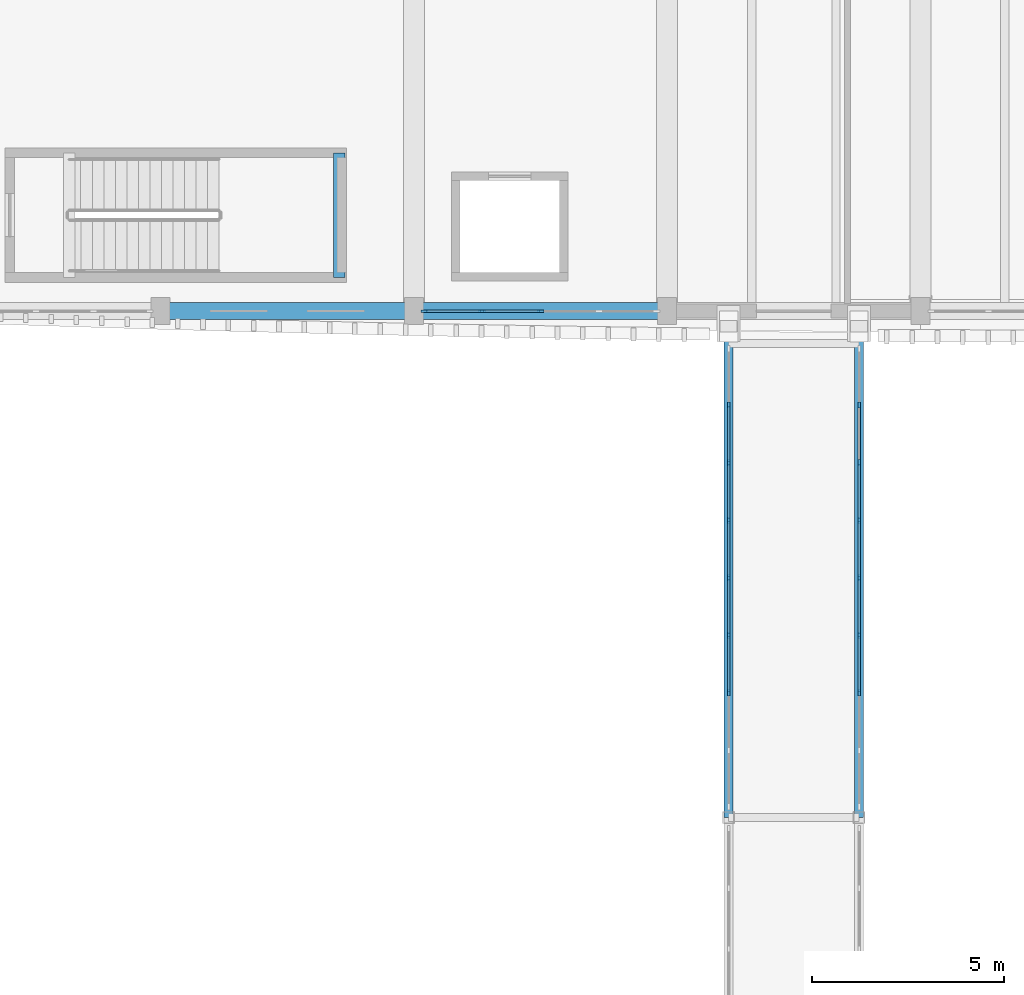
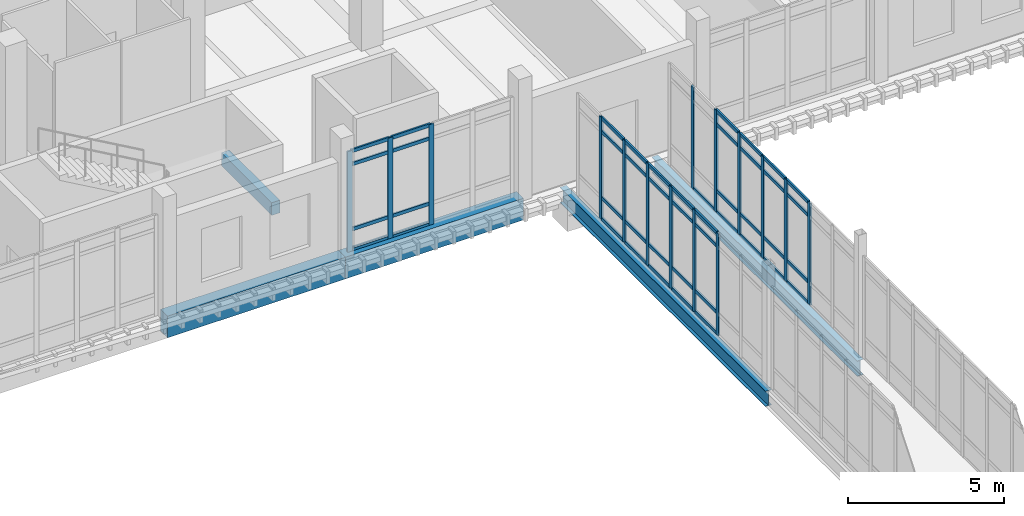
# One storey, part 57 of 125: 60 members, 5 beams, 3 elements without a shape of their own.
"""IFC4 building model written with IfcOpenShell, lengths in metres."""

import ifcopenshell
import ifcopenshell.guid

model = None  # the IFC model being written
_history = None  # IfcOwnerHistory: only IFC2X3 demands one
_inside = {}  # id of a spatial element -> (the spatial element, [elements in it])
_under = {}  # id of a project, library or spatial element -> (it, [spatial elements below it])
_declared = {}  # id of a project -> (the project, [libraries it declares])
_typed = {}  # id of a type object -> (the type object, [elements of that type])
_made_of = {}  # id of a material, layer set ... -> (it, [elements and type objects made of it])


def new_model(schema):
    """Start an empty IFC model of exactly this schema.

    Asked for "IFC4X3", IfcOpenShell would pick the latest addendum, in which some entities
    have other attributes; the version numbers below select the first issue.
    IFC2X3 requires an IfcOwnerHistory on every rooted entity: one is made here for all.
    """
    global model, _history
    if schema == "IFC4X3":
        model = ifcopenshell.file(schema_version=(4, 3, 0, 0))
    else:
        model = ifcopenshell.file(schema=schema)
    _inside.clear()
    _under.clear()
    _declared.clear()
    _typed.clear()
    _made_of.clear()
    _history = None
    if model.schema == "IFC2X3":
        org = make("IfcOrganization", Name="unknown")
        user = make(
            "IfcPersonAndOrganization",
            ThePerson=make("IfcPerson", FamilyName="unknown"),
            TheOrganization=org,
        )
        app = make(
            "IfcApplication",
            ApplicationDeveloper=org,
            Version="unknown",
            ApplicationFullName="unknown",
            ApplicationIdentifier="unknown",
        )
        _history = make(
            "IfcOwnerHistory",
            OwningUser=user,
            OwningApplication=app,
            ChangeAction="ADDED",
            CreationDate=0,
        )
    return model


def make(cls, **values):
    """One entity of the class cls with the attributes given. An attribute that is None is left unset."""
    return model.create_entity(
        cls, **{name: value for name, value in values.items() if value is not None}
    )


def rooted(cls, **values):
    """An entity with a GlobalId (a new one), such as an element, a storey or a relation."""
    return make(cls, GlobalId=ifcopenshell.guid.new(), OwnerHistory=_history, **values)


def si_unit(unit_type, name, prefix=None):
    """IfcSIUnit, for example si_unit("LENGTHUNIT", "METRE", prefix="MILLI")."""
    return make("IfcSIUnit", UnitType=unit_type, Prefix=prefix, Name=name)


def assignment(units):
    """IfcUnitAssignment: the units of a project."""
    return None if units is None else make("IfcUnitAssignment", Units=units)


def point(xyz):
    """IfcCartesianPoint."""
    return None if xyz is None else make("IfcCartesianPoint", Coordinates=xyz)


def direction(xyz):
    """IfcDirection."""
    return None if xyz is None else make("IfcDirection", DirectionRatios=xyz)


def frame(location, z_axis=None, x_axis=None):
    """IfcAxis2Placement3D, a coordinate frame: its origin and axes. An axis left out is left unset."""
    return make(
        "IfcAxis2Placement3D",
        Location=point(location),
        Axis=direction(z_axis),
        RefDirection=direction(x_axis),
    )


def frame_2d(location, x_axis=None):
    """IfcAxis2Placement2D, a coordinate frame in the plane: its origin and x axis."""
    return make(
        "IfcAxis2Placement2D", Location=point(location), RefDirection=direction(x_axis)
    )


def origin():
    """The frame at (0, 0, 0) with its axes left unset."""
    return frame((0.0, 0.0, 0.0))


def origin_2d():
    """The frame at (0, 0) in the plane with its x axis left unset."""
    return frame_2d((0.0, 0.0))


def place(relative_to, where):
    """IfcLocalPlacement: puts the frame where relative to a parent placement (None: the world)."""
    return make(
        "IfcLocalPlacement", PlacementRelTo=relative_to, RelativePlacement=where
    )


def context(
    kind, dimensions, precision=None, world=None, true_north=None, identifier=None
):
    """IfcGeometricRepresentationContext, for example the 3D "Model" context."""
    return make(
        "IfcGeometricRepresentationContext",
        ContextIdentifier=identifier,
        ContextType=kind,
        CoordinateSpaceDimension=dimensions,
        Precision=precision,
        WorldCoordinateSystem=world,
        TrueNorth=true_north,
    )


def subcontext(parent, identifier, kind, view, scale=None):
    """IfcGeometricRepresentationSubContext, for example "Body" below "Model"."""
    return make(
        "IfcGeometricRepresentationSubContext",
        ContextIdentifier=identifier,
        ContextType=kind,
        ParentContext=parent,
        TargetScale=scale,
        TargetView=view,
    )


def project(units=None, contexts=None):
    """IfcProject with its units and contexts."""
    return rooted(
        "IfcProject",
        Name="project",
        RepresentationContexts=contexts,
        UnitsInContext=assignment(units),
    )


def spatial(cls, under=None, at=None, **own):
    """A site, building, storey or space (cls), placed at a placement, below another one or the project."""
    s = rooted(cls, ObjectPlacement=at, **own)
    if under is not None:
        _under.setdefault(under.id(), (under, []))[1].append(s)
    return s


def profile(cls, at=None, kind="AREA", **sizes):
    """A parametric profile (cls). Its sizes go by their IFC names, for example OverallWidth=200.0."""
    return make(cls, ProfileType=kind, Position=at, **sizes)


def rectangle(**sizes):
    """IfcRectangleProfileDef."""
    return profile("IfcRectangleProfileDef", **sizes)


def i_section(**sizes):
    """IfcIShapeProfileDef."""
    return profile("IfcIShapeProfileDef", **sizes)


def extrude(swept, where, along, depth):
    """IfcExtrudedAreaSolid: the profile swept, set in the frame where, extruded along a direction by depth."""
    return make(
        "IfcExtrudedAreaSolid",
        SweptArea=swept,
        Position=where,
        ExtrudedDirection=direction(along),
        Depth=depth,
    )


def shape(context_of_items, identifier, shape_type, items):
    """IfcShapeRepresentation: the items that make up one representation, for example the "Body"."""
    return make(
        "IfcShapeRepresentation",
        ContextOfItems=context_of_items,
        RepresentationIdentifier=identifier,
        RepresentationType=shape_type,
        Items=items,
    )


def material(Name=None, Category=None):
    """IfcMaterial."""
    return make("IfcMaterial", Name=Name, Category=Category)


def material_profile(
    of_material, cross_section, Name=None, Category=None, Priority=None
):
    """IfcMaterialProfile: a cross section and its material."""
    return make(
        "IfcMaterialProfile",
        Name=Name,
        Material=of_material,
        Profile=cross_section,
        Priority=Priority,
        Category=Category,
    )


def profile_set(profiles, Name=None, composite=None):
    """IfcMaterialProfileSet."""
    return make(
        "IfcMaterialProfileSet",
        Name=Name,
        MaterialProfiles=profiles,
        CompositeProfile=composite,
    )


def made_of(thing, what):
    """Note that an element or type object is made of a material, layer set ...; save() writes the relation."""
    if what is not None:
        _made_of.setdefault(what.id(), (what, []))[1].append(thing)
    return thing


def type_object(cls, material=None, **own):
    """A type object (cls), such as IfcWallType, which elements share."""
    return made_of(rooted(cls, **own), material)


def element(
    cls,
    number,
    at=None,
    inside=None,
    cuts=None,
    type_object=None,
    material=None,
    context=None,
    identifier="Body",
    shape_type=None,
    held_by="IfcProductDefinitionShape",
    body=None,
    shapes=None,
    **own,
):
    """One element of the class cls, such as IfcWall. Its Tag is "e" and its number.

    at: its placement. inside: the storey or other place that contains it. cuts: it is an
    opening in that element (IfcRelVoidsElement). A single representation is given by context,
    identifier, shape_type and body (its items); several are given by shapes. held_by: the class
    of the entity that holds the representations. save() writes the other relations.
    """
    e = rooted(cls, Tag="e%d" % number, ObjectPlacement=at, **own)
    if body is not None:
        shapes = [shape(context, identifier, shape_type, body)]
    if shapes is not None:
        e.Representation = make(held_by, Representations=shapes)
    if inside is not None:
        _inside.setdefault(inside.id(), (inside, []))[1].append(e)
    if cuts is not None:
        rooted(
            "IfcRelVoidsElement", RelatingBuildingElement=cuts, RelatedOpeningElement=e
        )
    if type_object is not None:
        _typed.setdefault(type_object.id(), (type_object, []))[1].append(e)
    return made_of(e, material)


def aggregate(whole, parts):
    """IfcRelAggregates: a whole, such as a stair, and the parts it consists of."""
    return rooted("IfcRelAggregates", RelatingObject=whole, RelatedObjects=parts)


def save(model, path):
    """Write the relations noted so far, then the file.

    IfcRelAggregates (storeys below a building ...), IfcRelContainedInSpatialStructure (elements
    in a storey), IfcRelDefinesByType, IfcRelAssociatesMaterial and IfcRelDeclares: one each for
    every whole, place, type object, material and project.
    """
    for whole, parts in _under.values():
        aggregate(whole, parts)
    for where, things in _inside.values():
        rooted(
            "IfcRelContainedInSpatialStructure",
            RelatedElements=things,
            RelatingStructure=where,
        )
    for kind, things in _typed.values():
        rooted("IfcRelDefinesByType", RelatedObjects=things, RelatingType=kind)
    for what, things in _made_of.values():
        rooted("IfcRelAssociatesMaterial", RelatedObjects=things, RelatingMaterial=what)
    for by, libraries in _declared.values():
        rooted("IfcRelDeclares", RelatingContext=by, RelatedDefinitions=libraries)
    model.write(path)


model = new_model("IFC4")

# Units and contexts
model_context = context("Model", 3, precision=1e-05, world=origin(), true_north=direction((0.0, 1.0)))
body_context = subcontext(model_context, "Body", "Model", "MODEL_VIEW")
ifc_project = project(units=[si_unit("LENGTHUNIT", "METRE"), si_unit("AREAUNIT", "SQUARE_METRE"), si_unit("VOLUMEUNIT", "CUBIC_METRE"), si_unit("PLANEANGLEUNIT", "RADIAN"), si_unit("MASSUNIT", "GRAM", prefix="KILO")], contexts=[model_context])

# Site, building, storey
site_placement = place(None, origin())
site = spatial("IfcSite", under=ifc_project, at=site_placement, CompositionType="ELEMENT")
building_placement = place(site_placement, origin())
building = spatial("IfcBuilding", under=site, at=building_placement, Name="Dornvale Research Institute", CompositionType="ELEMENT")
storey_placement = place(building_placement, frame((0.0, 0.0, 5.39990234375)))
storey = spatial("IfcBuildingStorey", under=building, at=storey_placement, Name="L01", CompositionType="ELEMENT", Elevation=5.39990234375)

# Beams
ifc_material_1 = material(Name="Concrete f'c 45 MPa (C35/45)", Category="concrete")
ifc_material_profile_1 = material_profile(ifc_material_1, rectangle(XDim=0.300048828125, YDim=0.5, at=origin_2d()), Name="RC 300x500")
ifc_profile_set_1 = profile_set([ifc_material_profile_1], Name="Concrete f'c 45 MPa (C35/45)")
beam_type_1 = type_object("IfcBeamType", Name="Beam_RC300x500_Trim", PredefinedType="BEAM", material=ifc_profile_set_1)
beam_placement = place(storey_placement, frame((130.050048828125, 93.280029296875, 1.9501953125), z_axis=(0.0, 1.0, 0.0), x_axis=(-1.0, 0.0, 0.0)))
element("IfcBeam", 1, at=beam_placement, inside=storey, type_object=beam_type_1, Name="L01 ST-3 half-landing support beam #57", PredefinedType="BEAM", context=body_context, shape_type="SweptSolid", body=[
    extrude(rectangle(XDim=0.300048828125, YDim=0.5, at=origin_2d()), origin(), (0.0, 0.0, 1.0), 3.239990234375),
])
ifc_material_2 = material(Name="Steel ASTM A992 Grade 50", Category="steel")
ifc_material_profile_2 = material_profile(ifc_material_2, i_section(OverallWidth=0.22900390625, OverallDepth=0.612060546875, WebThickness=0.011962890625, FlangeThickness=0.01953125, at=origin_2d()), Name="W24X84")
ifc_profile_set_2 = profile_set([ifc_material_profile_2], Name="Steel ASTM A992 Grade 50")
beam_type_2 = type_object("IfcBeamType", Name="Beam_Steel_W24X84_Bridge", PredefinedType="BEAM", material=ifc_profile_set_2)
for number, where, z_axis, x_axis, name in (
    (2, (140.199951171875, 79.199951171875, -0.52587890625), (0.0, 1.0, 0.0), (-1.0, 0.0, 0.0), "L01 BR-7 west girder #2026"),
    (3, (143.60009765625, 79.199951171875, -0.52587890625), (0.0, 1.0, 0.0), (-1.0, 0.0, 0.0), "L01 BR-7 east girder #2026"),
):
    element("IfcBeam", number, at=place(storey_placement, frame(where, z_axis=z_axis, x_axis=x_axis)), inside=storey, type_object=beam_type_2, Name=name, PredefinedType="BEAM", context=body_context, shape_type="SweptSolid", body=[
        extrude(i_section(OverallWidth=0.22900390625, OverallDepth=0.612060546875, WebThickness=0.011962890625, FlangeThickness=0.01953125, at=origin_2d()), origin(), (0.0, 0.0, 1.0), 13.199951171875),
    ])

# Curtain wall, members
ifc_material_3 = material(Name="Low-E Argon Double Insulating Glazing Unit", Category="glass")
curtain_wall_type_1 = type_object("IfcCurtainWallType", Name="UnitisedCurtainWall_V2_12000x4000", PredefinedType="USERDEFINED", material=ifc_material_3)
curtain_wall_1_placement = place(storey_placement, origin())
curtain_wall_1 = element("IfcCurtainWall", 4, at=curtain_wall_1_placement, inside=storey, type_object=curtain_wall_type_1, Name="L01 V2 unitised curtain wall CW-44 #239", ObjectType="UNITISED CURTAIN WALL", PredefinedType="USERDEFINED")
ifc_material_4 = material(Name="Anodized Aluminum AA 6063-T6 Thermally Broken Frame", Category="aluminium")
ifc_material_profile_3 = material_profile(ifc_material_4, rectangle(XDim=0.06494140625, YDim=0.1650390625, at=origin_2d()), Name="ALU MULLION 65x165")
ifc_profile_set_3 = profile_set([ifc_material_profile_3], Name="Anodized Aluminum AA 6063-T6 Thermally Broken Frame")
member_type_1 = type_object("IfcMemberType", Name="Mullion_Atrium_65x165", PredefinedType="MULLION", material=ifc_profile_set_3)
member_1_placement = place(storey_placement, frame((140.199951171875, 82.449951171875, 0.0), z_axis=(0.0, 0.0, 1.0), x_axis=(-1.0, 0.0, 0.0)))
member_1 = element("IfcMember", 5, at=member_1_placement, type_object=member_type_1, Name="CW-44 mullion 3", PredefinedType="MULLION", context=body_context, shape_type="SweptSolid", body=[
    extrude(rectangle(XDim=0.06494140625, YDim=0.1650390625, at=origin_2d()), origin(), (0.0, 0.0, 1.0), 4.0),
])
member_2_placement = place(storey_placement, frame((140.199951171875, 83.949951171875, 0.0), z_axis=(0.0, 0.0, 1.0), x_axis=(-1.0, 0.0, 0.0)))
member_2 = element("IfcMember", 6, at=member_2_placement, type_object=member_type_1, Name="CW-44 mullion 4", PredefinedType="MULLION", context=body_context, shape_type="SweptSolid", body=[
    extrude(rectangle(XDim=0.06494140625, YDim=0.1650390625, at=origin_2d()), origin(), (0.0, 0.0, 1.0), 4.0),
])
member_3_placement = place(storey_placement, frame((140.199951171875, 85.449951171875, 0.0), z_axis=(0.0, 0.0, 1.0), x_axis=(-1.0, 0.0, 0.0)))
member_3 = element("IfcMember", 7, at=member_3_placement, type_object=member_type_1, Name="CW-44 mullion 5", PredefinedType="MULLION", context=body_context, shape_type="SweptSolid", body=[
    extrude(rectangle(XDim=0.06494140625, YDim=0.1650390625, at=origin_2d()), origin(), (0.0, 0.0, 1.0), 4.0),
])
member_4_placement = place(storey_placement, frame((140.199951171875, 86.949951171875, 0.0), z_axis=(0.0, 0.0, 1.0), x_axis=(-1.0, 0.0, 0.0)))
member_4 = element("IfcMember", 8, at=member_4_placement, type_object=member_type_1, Name="CW-44 mullion 6", PredefinedType="MULLION", context=body_context, shape_type="SweptSolid", body=[
    extrude(rectangle(XDim=0.06494140625, YDim=0.1650390625, at=origin_2d()), origin(), (0.0, 0.0, 1.0), 4.0),
])
member_5_placement = place(storey_placement, frame((140.199951171875, 88.449951171875, 0.0), z_axis=(0.0, 0.0, 1.0), x_axis=(-1.0, 0.0, 0.0)))
member_5 = element("IfcMember", 9, at=member_5_placement, type_object=member_type_1, Name="CW-44 mullion 7", PredefinedType="MULLION", context=body_context, shape_type="SweptSolid", body=[
    extrude(rectangle(XDim=0.06494140625, YDim=0.1650390625, at=origin_2d()), origin(), (0.0, 0.0, 1.0), 4.0),
])
member_6_placement = place(storey_placement, frame((140.199951171875, 89.949951171875, 0.0), z_axis=(0.0, 0.0, 1.0), x_axis=(-1.0, 0.0, 0.0)))
member_6 = element("IfcMember", 10, at=member_6_placement, type_object=member_type_1, Name="CW-44 mullion 8", PredefinedType="MULLION", context=body_context, shape_type="SweptSolid", body=[
    extrude(rectangle(XDim=0.06494140625, YDim=0.1650390625, at=origin_2d()), origin(), (0.0, 0.0, 1.0), 4.0),
])

curtain_wall_2_placement = place(storey_placement, origin())
curtain_wall_2 = element("IfcCurtainWall", 11, at=curtain_wall_2_placement, inside=storey, type_object=curtain_wall_type_1, Name="L01 V2 unitised curtain wall CW-44 #240", ObjectType="UNITISED CURTAIN WALL", PredefinedType="USERDEFINED")
member_7_placement = place(storey_placement, frame((143.60009765625, 89.949951171875, 0.0), z_axis=(0.0, 0.0, 1.0), x_axis=(1.0, 0.0, 0.0)))
member_7 = element("IfcMember", 12, at=member_7_placement, type_object=member_type_1, Name="CW-44 mullion 2", PredefinedType="MULLION", context=body_context, shape_type="SweptSolid", body=[
    extrude(rectangle(XDim=0.06494140625, YDim=0.1650390625, at=origin_2d()), origin(), (0.0, 0.0, 1.0), 4.0),
])
member_8_placement = place(storey_placement, frame((143.60009765625, 88.449951171875, 0.0), z_axis=(0.0, 0.0, 1.0), x_axis=(1.0, 0.0, 0.0)))
member_8 = element("IfcMember", 13, at=member_8_placement, type_object=member_type_1, Name="CW-44 mullion 3", PredefinedType="MULLION", context=body_context, shape_type="SweptSolid", body=[
    extrude(rectangle(XDim=0.06494140625, YDim=0.1650390625, at=origin_2d()), origin(), (0.0, 0.0, 1.0), 4.0),
])
member_9_placement = place(storey_placement, frame((143.60009765625, 86.949951171875, 0.0), z_axis=(0.0, 0.0, 1.0), x_axis=(1.0, 0.0, 0.0)))
member_9 = element("IfcMember", 14, at=member_9_placement, type_object=member_type_1, Name="CW-44 mullion 4", PredefinedType="MULLION", context=body_context, shape_type="SweptSolid", body=[
    extrude(rectangle(XDim=0.06494140625, YDim=0.1650390625, at=origin_2d()), origin(), (0.0, 0.0, 1.0), 4.0),
])
member_10_placement = place(storey_placement, frame((143.60009765625, 85.449951171875, 0.0), z_axis=(0.0, 0.0, 1.0), x_axis=(1.0, 0.0, 0.0)))
member_10 = element("IfcMember", 15, at=member_10_placement, type_object=member_type_1, Name="CW-44 mullion 5", PredefinedType="MULLION", context=body_context, shape_type="SweptSolid", body=[
    extrude(rectangle(XDim=0.06494140625, YDim=0.1650390625, at=origin_2d()), origin(), (0.0, 0.0, 1.0), 4.0),
])
member_11_placement = place(storey_placement, frame((143.60009765625, 83.949951171875, 0.0), z_axis=(0.0, 0.0, 1.0), x_axis=(1.0, 0.0, 0.0)))
member_11 = element("IfcMember", 16, at=member_11_placement, type_object=member_type_1, Name="CW-44 mullion 6", PredefinedType="MULLION", context=body_context, shape_type="SweptSolid", body=[
    extrude(rectangle(XDim=0.06494140625, YDim=0.1650390625, at=origin_2d()), origin(), (0.0, 0.0, 1.0), 4.0),
])
member_12_placement = place(storey_placement, frame((143.60009765625, 82.449951171875, 0.0), z_axis=(0.0, 0.0, 1.0), x_axis=(1.0, 0.0, 0.0)))
member_12 = element("IfcMember", 17, at=member_12_placement, type_object=member_type_1, Name="CW-44 mullion 7", PredefinedType="MULLION", context=body_context, shape_type="SweptSolid", body=[
    extrude(rectangle(XDim=0.06494140625, YDim=0.1650390625, at=origin_2d()), origin(), (0.0, 0.0, 1.0), 4.0),
])

ifc_material_5 = material(Name="Low-E Argon Double Insulating Glazing Unit", Category="glass")
curtain_wall_type_2 = type_object("IfcCurtainWallType", Name="UnitisedCurtainWall_V4_6100x3950", PredefinedType="USERDEFINED", material=ifc_material_5)
curtain_wall_3_placement = place(storey_placement, origin())
curtain_wall_3 = element("IfcCurtainWall", 18, at=curtain_wall_3_placement, inside=storey, type_object=curtain_wall_type_2, Name="L01 V4 unitised curtain wall CW-11 #80", ObjectType="UNITISED CURTAIN WALL", PredefinedType="USERDEFINED")
ifc_material_6 = material(Name="Anodized Aluminum AA 6063-T6 Thermally Broken Frame", Category="aluminium")
ifc_material_profile_4 = material_profile(ifc_material_6, rectangle(XDim=0.06494140625, YDim=0.179931640625, at=origin_2d()), Name="ALU MULLION 65x180")
ifc_profile_set_4 = profile_set([ifc_material_profile_4], Name="Anodized Aluminum AA 6063-T6 Thermally Broken Frame")
member_type_2 = type_object("IfcMemberType", Name="Mullion_CW_65x180", PredefinedType="MULLION", material=ifc_profile_set_4)
member_13_placement = place(storey_placement, frame((135.300048828125, 92.39990234375, 0.0), z_axis=(0.0, 0.0, 1.0), x_axis=(0.0, -1.0, 0.0)))
member_13 = element("IfcMember", 19, at=member_13_placement, type_object=member_type_2, Name="CW-11 mullion 3", PredefinedType="MULLION", context=body_context, shape_type="SweptSolid", body=[
    extrude(rectangle(XDim=0.06494140625, YDim=0.179931640625, at=origin_2d()), origin(), (0.0, 0.0, 1.0), 3.9501953125),
])
member_14_placement = place(storey_placement, frame((133.77490234375, 92.39990234375, 0.0), z_axis=(0.0, 0.0, 1.0), x_axis=(0.0, -1.0, 0.0)))
member_14 = element("IfcMember", 20, at=member_14_placement, type_object=member_type_2, Name="CW-11 mullion 4", PredefinedType="MULLION", context=body_context, shape_type="SweptSolid", body=[
    extrude(rectangle(XDim=0.06494140625, YDim=0.179931640625, at=origin_2d()), origin(), (0.0, 0.0, 1.0), 3.9501953125),
])
member_15_placement = place(storey_placement, frame((132.282470703125, 92.39990234375, 0.0), z_axis=(0.0, 0.0, 1.0), x_axis=(0.0, -1.0, 0.0)))
member_15 = element("IfcMember", 21, at=member_15_placement, type_object=member_type_2, Name="CW-11 mullion 5", PredefinedType="MULLION", context=body_context, shape_type="SweptSolid", body=[
    extrude(rectangle(XDim=0.06494140625, YDim=0.179931640625, at=origin_2d()), origin(), (0.0, 0.0, 1.0), 3.9501953125),
])

# Beams
ifc_material_7 = material(Name="Concrete f'c 45 MPa (C35/45)", Category="concrete")
ifc_material_profile_5 = material_profile(ifc_material_7, rectangle(XDim=0.449951171875, YDim=0.85009765625, at=origin_2d()), Name="RC 450x850")
ifc_profile_set_5 = profile_set([ifc_material_profile_5], Name="Concrete f'c 45 MPa (C35/45)")
beam_type_3 = type_object("IfcBeamType", Name="Spandrel_RC450x850_Ext", PredefinedType="SPANDREL", material=ifc_profile_set_5)
for number, where, z_axis, x_axis, name in (
    (22, (125.39990234375, 92.39990234375, -0.4248046875), (1.0, 0.0, 0.0), (0.0, 1.0, 0.0), "L01 perimeter spandrel #355"),
    (23, (132.0, 92.39990234375, -0.4248046875), (1.0, 0.0, 0.0), (0.0, 1.0, 0.0), "L01 perimeter spandrel #356"),
):
    element("IfcBeam", number, at=place(storey_placement, frame(where, z_axis=z_axis, x_axis=x_axis)), inside=storey, type_object=beam_type_3, Name=name, PredefinedType="SPANDREL", context=body_context, shape_type="SweptSolid", body=[
        extrude(rectangle(XDim=0.449951171875, YDim=0.85009765625, at=origin_2d()), origin(), (0.0, 0.0, 1.0), 6.60009765625),
    ])

# Member
ifc_material_8 = material(Name="Anodized Aluminum AA 6063-T6 Thermally Broken Frame", Category="aluminium")
ifc_material_profile_6 = material_profile(ifc_material_8, rectangle(XDim=0.06494140625, YDim=0.135009765625, at=origin_2d()), Name="ALU TRANSOM 65x135")
ifc_profile_set_6 = profile_set([ifc_material_profile_6], Name="Anodized Aluminum AA 6063-T6 Thermally Broken Frame")
member_type_3 = type_object("IfcMemberType", Name="Transom_CW_65x135", PredefinedType="USERDEFINED", material=ifc_profile_set_6)
member_16_placement = place(storey_placement, frame((135.267578125, 92.39990234375, 0.03271484375), z_axis=(-1.0, 0.0, 0.0), x_axis=(0.0, -1.0, 0.0)))
member_16 = element("IfcMember", 24, at=member_16_placement, type_object=member_type_3, Name="CW-11 transom 3.1", ObjectType="TRANSOM", PredefinedType="USERDEFINED", context=body_context, shape_type="SweptSolid", body=[
    extrude(rectangle(XDim=0.06494140625, YDim=0.135009765625, at=origin_2d()), origin(), (0.0, 0.0, 1.0), 1.4599609375),
])

member_17_placement = place(storey_placement, frame((135.267578125, 92.39990234375, 0.85009765625), z_axis=(-1.0, 0.0, 0.0), x_axis=(0.0, -1.0, 0.0)))
member_17 = element("IfcMember", 25, at=member_17_placement, type_object=member_type_3, Name="CW-11 transom 3.2", ObjectType="TRANSOM", PredefinedType="USERDEFINED", context=body_context, shape_type="SweptSolid", body=[
    extrude(rectangle(XDim=0.06494140625, YDim=0.135009765625, at=origin_2d()), origin(), (0.0, 0.0, 1.0), 1.4599609375),
])

member_18_placement = place(storey_placement, frame((135.267578125, 92.39990234375, 3.400146484375), z_axis=(-1.0, 0.0, 0.0), x_axis=(0.0, -1.0, 0.0)))
member_18 = element("IfcMember", 26, at=member_18_placement, type_object=member_type_3, Name="CW-11 transom 3.3", ObjectType="TRANSOM", PredefinedType="USERDEFINED", context=body_context, shape_type="SweptSolid", body=[
    extrude(rectangle(XDim=0.06494140625, YDim=0.135009765625, at=origin_2d()), origin(), (0.0, 0.0, 1.0), 1.4599609375),
])

member_19_placement = place(storey_placement, frame((135.267578125, 92.39990234375, 3.91748046875), z_axis=(-1.0, 0.0, 0.0), x_axis=(0.0, -1.0, 0.0)))
member_19 = element("IfcMember", 27, at=member_19_placement, type_object=member_type_3, Name="CW-11 transom 3.4", ObjectType="TRANSOM", PredefinedType="USERDEFINED", context=body_context, shape_type="SweptSolid", body=[
    extrude(rectangle(XDim=0.06494140625, YDim=0.135009765625, at=origin_2d()), origin(), (0.0, 0.0, 1.0), 1.4599609375),
])

member_20_placement = place(storey_placement, frame((133.742431640625, 92.39990234375, 0.03271484375), z_axis=(-1.0, 0.0, 0.0), x_axis=(0.0, -1.0, 0.0)))
member_20 = element("IfcMember", 28, at=member_20_placement, type_object=member_type_3, Name="CW-11 transom 4.1", ObjectType="TRANSOM", PredefinedType="USERDEFINED", context=body_context, shape_type="SweptSolid", body=[
    extrude(rectangle(XDim=0.06494140625, YDim=0.135009765625, at=origin_2d()), origin(), (0.0, 0.0, 1.0), 1.427490234375),
])

member_21_placement = place(storey_placement, frame((133.742431640625, 92.39990234375, 0.85009765625), z_axis=(-1.0, 0.0, 0.0), x_axis=(0.0, -1.0, 0.0)))
member_21 = element("IfcMember", 29, at=member_21_placement, type_object=member_type_3, Name="CW-11 transom 4.2", ObjectType="TRANSOM", PredefinedType="USERDEFINED", context=body_context, shape_type="SweptSolid", body=[
    extrude(rectangle(XDim=0.06494140625, YDim=0.135009765625, at=origin_2d()), origin(), (0.0, 0.0, 1.0), 1.427490234375),
])

member_22_placement = place(storey_placement, frame((133.742431640625, 92.39990234375, 3.400146484375), z_axis=(-1.0, 0.0, 0.0), x_axis=(0.0, -1.0, 0.0)))
member_22 = element("IfcMember", 30, at=member_22_placement, type_object=member_type_3, Name="CW-11 transom 4.3", ObjectType="TRANSOM", PredefinedType="USERDEFINED", context=body_context, shape_type="SweptSolid", body=[
    extrude(rectangle(XDim=0.06494140625, YDim=0.135009765625, at=origin_2d()), origin(), (0.0, 0.0, 1.0), 1.427490234375),
])

member_23_placement = place(storey_placement, frame((133.742431640625, 92.39990234375, 3.91748046875), z_axis=(-1.0, 0.0, 0.0), x_axis=(0.0, -1.0, 0.0)))
member_23 = element("IfcMember", 31, at=member_23_placement, type_object=member_type_3, Name="CW-11 transom 4.4", ObjectType="TRANSOM", PredefinedType="USERDEFINED", context=body_context, shape_type="SweptSolid", body=[
    extrude(rectangle(XDim=0.06494140625, YDim=0.135009765625, at=origin_2d()), origin(), (0.0, 0.0, 1.0), 1.427490234375),
])

aggregate(curtain_wall_3, [member_13, member_14, member_15, member_16, member_17, member_18, member_19, member_20, member_21, member_22, member_23])

member_24_placement = place(storey_placement, frame((140.199951171875, 82.482421875, 0.03271484375), z_axis=(0.0, 1.0, 0.0), x_axis=(-1.0, 0.0, 0.0)))
member_24 = element("IfcMember", 32, at=member_24_placement, type_object=member_type_3, Name="CW-44 transom 3.1", ObjectType="TRANSOM", PredefinedType="USERDEFINED", context=body_context, shape_type="SweptSolid", body=[
    extrude(rectangle(XDim=0.06494140625, YDim=0.135009765625, at=origin_2d()), origin(), (0.0, 0.0, 1.0), 1.43505859375),
])

member_25_placement = place(storey_placement, frame((140.199951171875, 82.482421875, 0.85009765625), z_axis=(0.0, 1.0, 0.0), x_axis=(-1.0, 0.0, 0.0)))
member_25 = element("IfcMember", 33, at=member_25_placement, type_object=member_type_3, Name="CW-44 transom 3.2", ObjectType="TRANSOM", PredefinedType="USERDEFINED", context=body_context, shape_type="SweptSolid", body=[
    extrude(rectangle(XDim=0.06494140625, YDim=0.135009765625, at=origin_2d()), origin(), (0.0, 0.0, 1.0), 1.43505859375),
])

member_26_placement = place(storey_placement, frame((140.199951171875, 82.482421875, 3.4501953125), z_axis=(0.0, 1.0, 0.0), x_axis=(-1.0, 0.0, 0.0)))
member_26 = element("IfcMember", 34, at=member_26_placement, type_object=member_type_3, Name="CW-44 transom 3.3", ObjectType="TRANSOM", PredefinedType="USERDEFINED", context=body_context, shape_type="SweptSolid", body=[
    extrude(rectangle(XDim=0.06494140625, YDim=0.135009765625, at=origin_2d()), origin(), (0.0, 0.0, 1.0), 1.43505859375),
])

member_27_placement = place(storey_placement, frame((140.199951171875, 82.482421875, 3.967529296875), z_axis=(0.0, 1.0, 0.0), x_axis=(-1.0, 0.0, 0.0)))
member_27 = element("IfcMember", 35, at=member_27_placement, type_object=member_type_3, Name="CW-44 transom 3.4", ObjectType="TRANSOM", PredefinedType="USERDEFINED", context=body_context, shape_type="SweptSolid", body=[
    extrude(rectangle(XDim=0.06494140625, YDim=0.135009765625, at=origin_2d()), origin(), (0.0, 0.0, 1.0), 1.43505859375),
])

member_28_placement = place(storey_placement, frame((140.199951171875, 83.982421875, 0.03271484375), z_axis=(0.0, 1.0, 0.0), x_axis=(-1.0, 0.0, 0.0)))
member_28 = element("IfcMember", 36, at=member_28_placement, type_object=member_type_3, Name="CW-44 transom 4.1", ObjectType="TRANSOM", PredefinedType="USERDEFINED", context=body_context, shape_type="SweptSolid", body=[
    extrude(rectangle(XDim=0.06494140625, YDim=0.135009765625, at=origin_2d()), origin(), (0.0, 0.0, 1.0), 1.43505859375),
])

member_29_placement = place(storey_placement, frame((140.199951171875, 83.982421875, 0.85009765625), z_axis=(0.0, 1.0, 0.0), x_axis=(-1.0, 0.0, 0.0)))
member_29 = element("IfcMember", 37, at=member_29_placement, type_object=member_type_3, Name="CW-44 transom 4.2", ObjectType="TRANSOM", PredefinedType="USERDEFINED", context=body_context, shape_type="SweptSolid", body=[
    extrude(rectangle(XDim=0.06494140625, YDim=0.135009765625, at=origin_2d()), origin(), (0.0, 0.0, 1.0), 1.43505859375),
])

member_30_placement = place(storey_placement, frame((140.199951171875, 83.982421875, 3.4501953125), z_axis=(0.0, 1.0, 0.0), x_axis=(-1.0, 0.0, 0.0)))
member_30 = element("IfcMember", 38, at=member_30_placement, type_object=member_type_3, Name="CW-44 transom 4.3", ObjectType="TRANSOM", PredefinedType="USERDEFINED", context=body_context, shape_type="SweptSolid", body=[
    extrude(rectangle(XDim=0.06494140625, YDim=0.135009765625, at=origin_2d()), origin(), (0.0, 0.0, 1.0), 1.43505859375),
])

member_31_placement = place(storey_placement, frame((140.199951171875, 83.982421875, 3.967529296875), z_axis=(0.0, 1.0, 0.0), x_axis=(-1.0, 0.0, 0.0)))
member_31 = element("IfcMember", 39, at=member_31_placement, type_object=member_type_3, Name="CW-44 transom 4.4", ObjectType="TRANSOM", PredefinedType="USERDEFINED", context=body_context, shape_type="SweptSolid", body=[
    extrude(rectangle(XDim=0.06494140625, YDim=0.135009765625, at=origin_2d()), origin(), (0.0, 0.0, 1.0), 1.43505859375),
])

member_32_placement = place(storey_placement, frame((140.199951171875, 85.482421875, 0.03271484375), z_axis=(0.0, 1.0, 0.0), x_axis=(-1.0, 0.0, 0.0)))
member_32 = element("IfcMember", 40, at=member_32_placement, type_object=member_type_3, Name="CW-44 transom 5.1", ObjectType="TRANSOM", PredefinedType="USERDEFINED", context=body_context, shape_type="SweptSolid", body=[
    extrude(rectangle(XDim=0.06494140625, YDim=0.135009765625, at=origin_2d()), origin(), (0.0, 0.0, 1.0), 1.43505859375),
])

member_33_placement = place(storey_placement, frame((140.199951171875, 85.482421875, 0.85009765625), z_axis=(0.0, 1.0, 0.0), x_axis=(-1.0, 0.0, 0.0)))
member_33 = element("IfcMember", 41, at=member_33_placement, type_object=member_type_3, Name="CW-44 transom 5.2", ObjectType="TRANSOM", PredefinedType="USERDEFINED", context=body_context, shape_type="SweptSolid", body=[
    extrude(rectangle(XDim=0.06494140625, YDim=0.135009765625, at=origin_2d()), origin(), (0.0, 0.0, 1.0), 1.43505859375),
])

member_34_placement = place(storey_placement, frame((140.199951171875, 85.482421875, 3.4501953125), z_axis=(0.0, 1.0, 0.0), x_axis=(-1.0, 0.0, 0.0)))
member_34 = element("IfcMember", 42, at=member_34_placement, type_object=member_type_3, Name="CW-44 transom 5.3", ObjectType="TRANSOM", PredefinedType="USERDEFINED", context=body_context, shape_type="SweptSolid", body=[
    extrude(rectangle(XDim=0.06494140625, YDim=0.135009765625, at=origin_2d()), origin(), (0.0, 0.0, 1.0), 1.43505859375),
])

member_35_placement = place(storey_placement, frame((140.199951171875, 85.482421875, 3.967529296875), z_axis=(0.0, 1.0, 0.0), x_axis=(-1.0, 0.0, 0.0)))
member_35 = element("IfcMember", 43, at=member_35_placement, type_object=member_type_3, Name="CW-44 transom 5.4", ObjectType="TRANSOM", PredefinedType="USERDEFINED", context=body_context, shape_type="SweptSolid", body=[
    extrude(rectangle(XDim=0.06494140625, YDim=0.135009765625, at=origin_2d()), origin(), (0.0, 0.0, 1.0), 1.43505859375),
])

member_36_placement = place(storey_placement, frame((140.199951171875, 86.982421875, 0.03271484375), z_axis=(0.0, 1.0, 0.0), x_axis=(-1.0, 0.0, 0.0)))
member_36 = element("IfcMember", 44, at=member_36_placement, type_object=member_type_3, Name="CW-44 transom 6.1", ObjectType="TRANSOM", PredefinedType="USERDEFINED", context=body_context, shape_type="SweptSolid", body=[
    extrude(rectangle(XDim=0.06494140625, YDim=0.135009765625, at=origin_2d()), origin(), (0.0, 0.0, 1.0), 1.43505859375),
])

member_37_placement = place(storey_placement, frame((140.199951171875, 86.982421875, 0.85009765625), z_axis=(0.0, 1.0, 0.0), x_axis=(-1.0, 0.0, 0.0)))
member_37 = element("IfcMember", 45, at=member_37_placement, type_object=member_type_3, Name="CW-44 transom 6.2", ObjectType="TRANSOM", PredefinedType="USERDEFINED", context=body_context, shape_type="SweptSolid", body=[
    extrude(rectangle(XDim=0.06494140625, YDim=0.135009765625, at=origin_2d()), origin(), (0.0, 0.0, 1.0), 1.43505859375),
])

member_38_placement = place(storey_placement, frame((140.199951171875, 86.982421875, 3.4501953125), z_axis=(0.0, 1.0, 0.0), x_axis=(-1.0, 0.0, 0.0)))
member_38 = element("IfcMember", 46, at=member_38_placement, type_object=member_type_3, Name="CW-44 transom 6.3", ObjectType="TRANSOM", PredefinedType="USERDEFINED", context=body_context, shape_type="SweptSolid", body=[
    extrude(rectangle(XDim=0.06494140625, YDim=0.135009765625, at=origin_2d()), origin(), (0.0, 0.0, 1.0), 1.43505859375),
])

member_39_placement = place(storey_placement, frame((140.199951171875, 86.982421875, 3.967529296875), z_axis=(0.0, 1.0, 0.0), x_axis=(-1.0, 0.0, 0.0)))
member_39 = element("IfcMember", 47, at=member_39_placement, type_object=member_type_3, Name="CW-44 transom 6.4", ObjectType="TRANSOM", PredefinedType="USERDEFINED", context=body_context, shape_type="SweptSolid", body=[
    extrude(rectangle(XDim=0.06494140625, YDim=0.135009765625, at=origin_2d()), origin(), (0.0, 0.0, 1.0), 1.43505859375),
])

member_40_placement = place(storey_placement, frame((140.199951171875, 88.482421875, 0.03271484375), z_axis=(0.0, 1.0, 0.0), x_axis=(-1.0, 0.0, 0.0)))
member_40 = element("IfcMember", 48, at=member_40_placement, type_object=member_type_3, Name="CW-44 transom 7.1", ObjectType="TRANSOM", PredefinedType="USERDEFINED", context=body_context, shape_type="SweptSolid", body=[
    extrude(rectangle(XDim=0.06494140625, YDim=0.135009765625, at=origin_2d()), origin(), (0.0, 0.0, 1.0), 1.43505859375),
])

member_41_placement = place(storey_placement, frame((140.199951171875, 88.482421875, 0.85009765625), z_axis=(0.0, 1.0, 0.0), x_axis=(-1.0, 0.0, 0.0)))
member_41 = element("IfcMember", 49, at=member_41_placement, type_object=member_type_3, Name="CW-44 transom 7.2", ObjectType="TRANSOM", PredefinedType="USERDEFINED", context=body_context, shape_type="SweptSolid", body=[
    extrude(rectangle(XDim=0.06494140625, YDim=0.135009765625, at=origin_2d()), origin(), (0.0, 0.0, 1.0), 1.43505859375),
])

member_42_placement = place(storey_placement, frame((140.199951171875, 88.482421875, 3.4501953125), z_axis=(0.0, 1.0, 0.0), x_axis=(-1.0, 0.0, 0.0)))
member_42 = element("IfcMember", 50, at=member_42_placement, type_object=member_type_3, Name="CW-44 transom 7.3", ObjectType="TRANSOM", PredefinedType="USERDEFINED", context=body_context, shape_type="SweptSolid", body=[
    extrude(rectangle(XDim=0.06494140625, YDim=0.135009765625, at=origin_2d()), origin(), (0.0, 0.0, 1.0), 1.43505859375),
])

member_43_placement = place(storey_placement, frame((140.199951171875, 88.482421875, 3.967529296875), z_axis=(0.0, 1.0, 0.0), x_axis=(-1.0, 0.0, 0.0)))
member_43 = element("IfcMember", 51, at=member_43_placement, type_object=member_type_3, Name="CW-44 transom 7.4", ObjectType="TRANSOM", PredefinedType="USERDEFINED", context=body_context, shape_type="SweptSolid", body=[
    extrude(rectangle(XDim=0.06494140625, YDim=0.135009765625, at=origin_2d()), origin(), (0.0, 0.0, 1.0), 1.43505859375),
])

aggregate(curtain_wall_1, [member_1, member_2, member_3, member_4, member_5, member_6, member_24, member_25, member_26, member_27, member_28, member_29, member_30, member_31, member_32, member_33, member_34, member_35, member_36, member_37, member_38, member_39, member_40, member_41, member_42, member_43])

member_44_placement = place(storey_placement, frame((143.60009765625, 89.91748046875, 0.03271484375), z_axis=(0.0, -1.0, 0.0), x_axis=(1.0, 0.0, 0.0)))
member_44 = element("IfcMember", 52, at=member_44_placement, type_object=member_type_3, Name="CW-44 transom 2.1", ObjectType="TRANSOM", PredefinedType="USERDEFINED", context=body_context, shape_type="SweptSolid", body=[
    extrude(rectangle(XDim=0.06494140625, YDim=0.135009765625, at=origin_2d()), origin(), (0.0, 0.0, 1.0), 1.43505859375),
])

member_45_placement = place(storey_placement, frame((143.60009765625, 88.41748046875, 0.03271484375), z_axis=(0.0, -1.0, 0.0), x_axis=(1.0, 0.0, 0.0)))
member_45 = element("IfcMember", 53, at=member_45_placement, type_object=member_type_3, Name="CW-44 transom 3.1", ObjectType="TRANSOM", PredefinedType="USERDEFINED", context=body_context, shape_type="SweptSolid", body=[
    extrude(rectangle(XDim=0.06494140625, YDim=0.135009765625, at=origin_2d()), origin(), (0.0, 0.0, 1.0), 1.43505859375),
])

member_46_placement = place(storey_placement, frame((143.60009765625, 88.41748046875, 0.85009765625), z_axis=(0.0, -1.0, 0.0), x_axis=(1.0, 0.0, 0.0)))
member_46 = element("IfcMember", 54, at=member_46_placement, type_object=member_type_3, Name="CW-44 transom 3.2", ObjectType="TRANSOM", PredefinedType="USERDEFINED", context=body_context, shape_type="SweptSolid", body=[
    extrude(rectangle(XDim=0.06494140625, YDim=0.135009765625, at=origin_2d()), origin(), (0.0, 0.0, 1.0), 1.43505859375),
])

member_47_placement = place(storey_placement, frame((143.60009765625, 88.41748046875, 3.4501953125), z_axis=(0.0, -1.0, 0.0), x_axis=(1.0, 0.0, 0.0)))
member_47 = element("IfcMember", 55, at=member_47_placement, type_object=member_type_3, Name="CW-44 transom 3.3", ObjectType="TRANSOM", PredefinedType="USERDEFINED", context=body_context, shape_type="SweptSolid", body=[
    extrude(rectangle(XDim=0.06494140625, YDim=0.135009765625, at=origin_2d()), origin(), (0.0, 0.0, 1.0), 1.43505859375),
])

member_48_placement = place(storey_placement, frame((143.60009765625, 88.41748046875, 3.967529296875), z_axis=(0.0, -1.0, 0.0), x_axis=(1.0, 0.0, 0.0)))
member_48 = element("IfcMember", 56, at=member_48_placement, type_object=member_type_3, Name="CW-44 transom 3.4", ObjectType="TRANSOM", PredefinedType="USERDEFINED", context=body_context, shape_type="SweptSolid", body=[
    extrude(rectangle(XDim=0.06494140625, YDim=0.135009765625, at=origin_2d()), origin(), (0.0, 0.0, 1.0), 1.43505859375),
])

member_49_placement = place(storey_placement, frame((143.60009765625, 86.91748046875, 0.03271484375), z_axis=(0.0, -1.0, 0.0), x_axis=(1.0, 0.0, 0.0)))
member_49 = element("IfcMember", 57, at=member_49_placement, type_object=member_type_3, Name="CW-44 transom 4.1", ObjectType="TRANSOM", PredefinedType="USERDEFINED", context=body_context, shape_type="SweptSolid", body=[
    extrude(rectangle(XDim=0.06494140625, YDim=0.135009765625, at=origin_2d()), origin(), (0.0, 0.0, 1.0), 1.43505859375),
])

member_50_placement = place(storey_placement, frame((143.60009765625, 86.91748046875, 0.85009765625), z_axis=(0.0, -1.0, 0.0), x_axis=(1.0, 0.0, 0.0)))
member_50 = element("IfcMember", 58, at=member_50_placement, type_object=member_type_3, Name="CW-44 transom 4.2", ObjectType="TRANSOM", PredefinedType="USERDEFINED", context=body_context, shape_type="SweptSolid", body=[
    extrude(rectangle(XDim=0.06494140625, YDim=0.135009765625, at=origin_2d()), origin(), (0.0, 0.0, 1.0), 1.43505859375),
])

member_51_placement = place(storey_placement, frame((143.60009765625, 86.91748046875, 3.4501953125), z_axis=(0.0, -1.0, 0.0), x_axis=(1.0, 0.0, 0.0)))
member_51 = element("IfcMember", 59, at=member_51_placement, type_object=member_type_3, Name="CW-44 transom 4.3", ObjectType="TRANSOM", PredefinedType="USERDEFINED", context=body_context, shape_type="SweptSolid", body=[
    extrude(rectangle(XDim=0.06494140625, YDim=0.135009765625, at=origin_2d()), origin(), (0.0, 0.0, 1.0), 1.43505859375),
])

member_52_placement = place(storey_placement, frame((143.60009765625, 86.91748046875, 3.967529296875), z_axis=(0.0, -1.0, 0.0), x_axis=(1.0, 0.0, 0.0)))
member_52 = element("IfcMember", 60, at=member_52_placement, type_object=member_type_3, Name="CW-44 transom 4.4", ObjectType="TRANSOM", PredefinedType="USERDEFINED", context=body_context, shape_type="SweptSolid", body=[
    extrude(rectangle(XDim=0.06494140625, YDim=0.135009765625, at=origin_2d()), origin(), (0.0, 0.0, 1.0), 1.43505859375),
])

member_53_placement = place(storey_placement, frame((143.60009765625, 85.41748046875, 0.03271484375), z_axis=(0.0, -1.0, 0.0), x_axis=(1.0, 0.0, 0.0)))
member_53 = element("IfcMember", 61, at=member_53_placement, type_object=member_type_3, Name="CW-44 transom 5.1", ObjectType="TRANSOM", PredefinedType="USERDEFINED", context=body_context, shape_type="SweptSolid", body=[
    extrude(rectangle(XDim=0.06494140625, YDim=0.135009765625, at=origin_2d()), origin(), (0.0, 0.0, 1.0), 1.43505859375),
])

member_54_placement = place(storey_placement, frame((143.60009765625, 85.41748046875, 0.85009765625), z_axis=(0.0, -1.0, 0.0), x_axis=(1.0, 0.0, 0.0)))
member_54 = element("IfcMember", 62, at=member_54_placement, type_object=member_type_3, Name="CW-44 transom 5.2", ObjectType="TRANSOM", PredefinedType="USERDEFINED", context=body_context, shape_type="SweptSolid", body=[
    extrude(rectangle(XDim=0.06494140625, YDim=0.135009765625, at=origin_2d()), origin(), (0.0, 0.0, 1.0), 1.43505859375),
])

member_55_placement = place(storey_placement, frame((143.60009765625, 85.41748046875, 3.4501953125), z_axis=(0.0, -1.0, 0.0), x_axis=(1.0, 0.0, 0.0)))
member_55 = element("IfcMember", 63, at=member_55_placement, type_object=member_type_3, Name="CW-44 transom 5.3", ObjectType="TRANSOM", PredefinedType="USERDEFINED", context=body_context, shape_type="SweptSolid", body=[
    extrude(rectangle(XDim=0.06494140625, YDim=0.135009765625, at=origin_2d()), origin(), (0.0, 0.0, 1.0), 1.43505859375),
])

member_56_placement = place(storey_placement, frame((143.60009765625, 85.41748046875, 3.967529296875), z_axis=(0.0, -1.0, 0.0), x_axis=(1.0, 0.0, 0.0)))
member_56 = element("IfcMember", 64, at=member_56_placement, type_object=member_type_3, Name="CW-44 transom 5.4", ObjectType="TRANSOM", PredefinedType="USERDEFINED", context=body_context, shape_type="SweptSolid", body=[
    extrude(rectangle(XDim=0.06494140625, YDim=0.135009765625, at=origin_2d()), origin(), (0.0, 0.0, 1.0), 1.43505859375),
])

member_57_placement = place(storey_placement, frame((143.60009765625, 83.91748046875, 0.03271484375), z_axis=(0.0, -1.0, 0.0), x_axis=(1.0, 0.0, 0.0)))
member_57 = element("IfcMember", 65, at=member_57_placement, type_object=member_type_3, Name="CW-44 transom 6.1", ObjectType="TRANSOM", PredefinedType="USERDEFINED", context=body_context, shape_type="SweptSolid", body=[
    extrude(rectangle(XDim=0.06494140625, YDim=0.135009765625, at=origin_2d()), origin(), (0.0, 0.0, 1.0), 1.43505859375),
])

member_58_placement = place(storey_placement, frame((143.60009765625, 83.91748046875, 0.85009765625), z_axis=(0.0, -1.0, 0.0), x_axis=(1.0, 0.0, 0.0)))
member_58 = element("IfcMember", 66, at=member_58_placement, type_object=member_type_3, Name="CW-44 transom 6.2", ObjectType="TRANSOM", PredefinedType="USERDEFINED", context=body_context, shape_type="SweptSolid", body=[
    extrude(rectangle(XDim=0.06494140625, YDim=0.135009765625, at=origin_2d()), origin(), (0.0, 0.0, 1.0), 1.43505859375),
])

member_59_placement = place(storey_placement, frame((143.60009765625, 83.91748046875, 3.4501953125), z_axis=(0.0, -1.0, 0.0), x_axis=(1.0, 0.0, 0.0)))
member_59 = element("IfcMember", 67, at=member_59_placement, type_object=member_type_3, Name="CW-44 transom 6.3", ObjectType="TRANSOM", PredefinedType="USERDEFINED", context=body_context, shape_type="SweptSolid", body=[
    extrude(rectangle(XDim=0.06494140625, YDim=0.135009765625, at=origin_2d()), origin(), (0.0, 0.0, 1.0), 1.43505859375),
])

member_60_placement = place(storey_placement, frame((143.60009765625, 83.91748046875, 3.967529296875), z_axis=(0.0, -1.0, 0.0), x_axis=(1.0, 0.0, 0.0)))
member_60 = element("IfcMember", 68, at=member_60_placement, type_object=member_type_3, Name="CW-44 transom 6.4", ObjectType="TRANSOM", PredefinedType="USERDEFINED", context=body_context, shape_type="SweptSolid", body=[
    extrude(rectangle(XDim=0.06494140625, YDim=0.135009765625, at=origin_2d()), origin(), (0.0, 0.0, 1.0), 1.43505859375),
])

aggregate(curtain_wall_2, [member_7, member_8, member_9, member_10, member_11, member_12, member_44, member_45, member_46, member_47, member_48, member_49, member_50, member_51, member_52, member_53, member_54, member_55, member_56, member_57, member_58, member_59, member_60])

save(model, "model.ifc")
